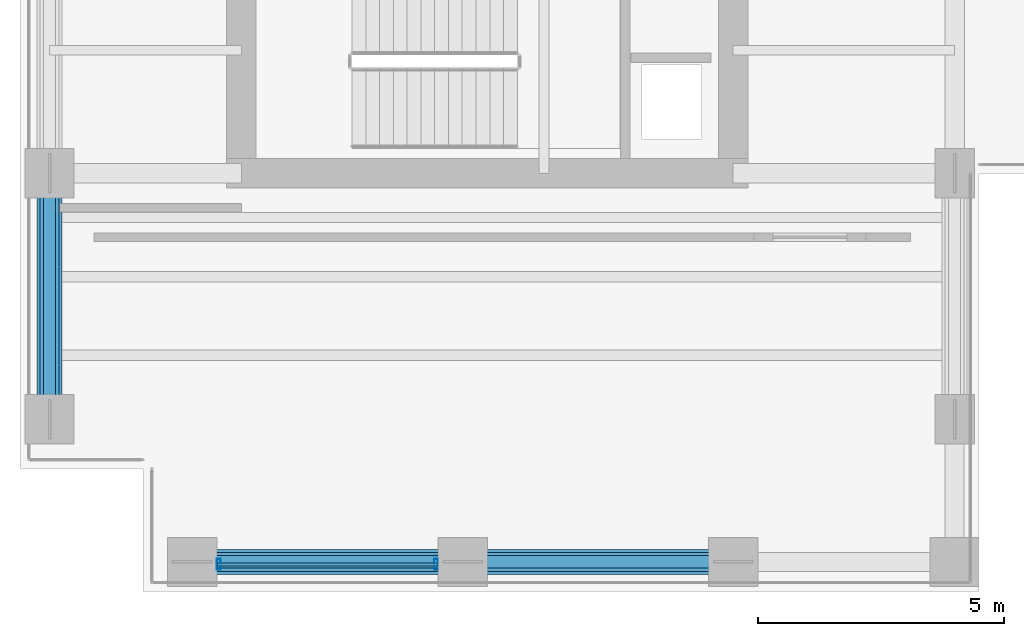
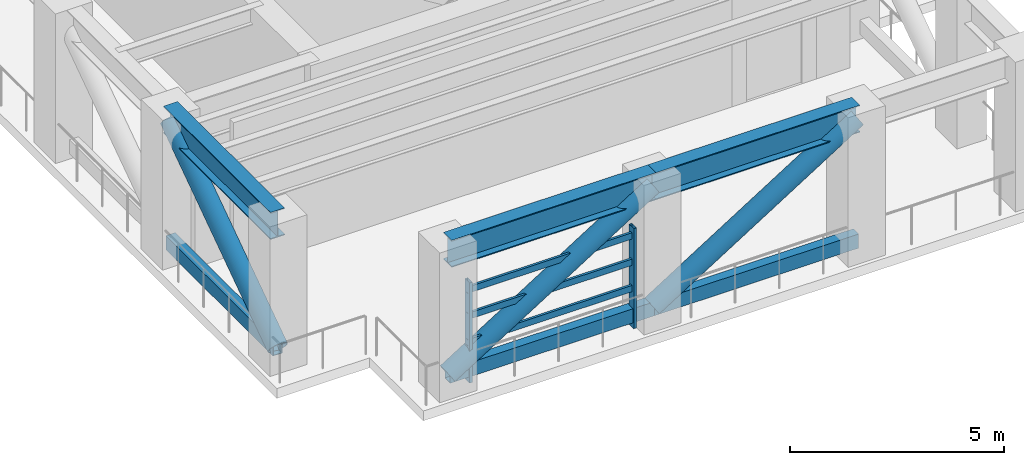
# One storey, part 2 of 14: 11 members, 3 beams, 1 element without a shape of its own.
"""IFC4 building model written with IfcOpenShell, lengths in metres."""

from ifc_helpers import new_model, si_unit, direction, frame, origin, origin_2d, place, context, subcontext, project, spatial, hollow_rectangle, hollow_circle, i_section, extrude, source, transform, mapped, material, layer, layer_set, material_profile, profile_set, type_object, element, aggregate, save


model = new_model("IFC4")

# Units and contexts
model_context = context("Model", 3, precision=1e-05, world=origin(), true_north=direction((0.0, 1.0)))
body_context = subcontext(model_context, "Body", "Model", "MODEL_VIEW")
ifc_project = project(units=[si_unit("LENGTHUNIT", "METRE"), si_unit("AREAUNIT", "SQUARE_METRE"), si_unit("VOLUMEUNIT", "CUBIC_METRE"), si_unit("PLANEANGLEUNIT", "RADIAN"), si_unit("MASSUNIT", "GRAM", prefix="KILO")], contexts=[model_context])

# Site, building, storey
site_placement = place(None, origin())
site = spatial("IfcSite", under=ifc_project, at=site_placement, CompositionType="ELEMENT")
building_placement = place(site_placement, origin())
building = spatial("IfcBuilding", under=site, at=building_placement, Name="Kharzan Plaza Tower", CompositionType="ELEMENT")
storey_placement = place(building_placement, frame((0.0, 0.0, 207.89990234375)))
storey = spatial("IfcBuildingStorey", under=building, at=storey_placement, Name="L56", CompositionType="ELEMENT", Elevation=207.89990234375)

# Members
ifc_material_1 = material(Name="Steel S355", Category="steel")
ifc_material_profile_1 = material_profile(ifc_material_1, hollow_rectangle(XDim=0.25, YDim=0.39990234375, WallThickness=0.01611328125, at=origin_2d()), Name="RHS400x250x16")
ifc_profile_set_1 = profile_set([ifc_material_profile_1], Name="Steel S355")
member_type_1 = type_object("IfcMemberType", Name="MEM-BT-CHORD", PredefinedType="CHORD", material=ifc_profile_set_1)
shared_shape_1 = source(origin(), body_context, "Body", "SweptSolid", [
    extrude(hollow_rectangle(XDim=0.25, YDim=0.39990234375, WallThickness=0.01611328125, at=origin_2d()), origin(), (0.0, 0.0, 1.0), 5.0),
])
member_1_placement = place(storey_placement, frame((0.60009765625, 3.5, 0.35009765625), z_axis=(0.0, 1.0, 0.0), x_axis=(-1.0, 0.0, 0.0)))
element("IfcMember", 1, at=member_1_placement, inside=storey, type_object=member_type_1, Name="L56 Belt Truss Bottom Chord BTW-1", PredefinedType="CHORD", context=body_context, shape_type="MappedRepresentation", body=[
    mapped(shared_shape_1, transform((0.0, 0.0, 0.0), x_axis=(1.0, 0.0, 0.0), y_axis=(0.0, 1.0, 0.0), z_axis=(0.0, 0.0, 1.0))),
])
shared_shape_2 = source(origin(), body_context, "Body", "SweptSolid", [
    extrude(hollow_rectangle(XDim=0.25, YDim=0.39990234375, WallThickness=0.01611328125, at=origin_2d()), origin(), (0.0, 0.0, 1.0), 5.5),
])
for number, where, z_axis, x_axis, name in (
    (2, (3.5, 0.60009765625, 0.35009765625), (1.0, 0.0, 0.0), (0.0, 1.0, 0.0), "L56 Belt Truss Bottom Chord BTS-1"),
    (3, (9.0, 0.60009765625, 0.35009765625), (1.0, 0.0, 0.0), (0.0, 1.0, 0.0), "L56 Belt Truss Bottom Chord BTS-2"),
):
    element("IfcMember", number, at=place(storey_placement, frame(where, z_axis=z_axis, x_axis=x_axis)), inside=storey, type_object=member_type_1, Name=name, PredefinedType="CHORD", context=body_context, shape_type="MappedRepresentation", body=[
        mapped(shared_shape_2, transform((0.0, 0.0, 0.0), x_axis=(1.0, 0.0, 0.0), y_axis=(0.0, 1.0, 0.0), z_axis=(0.0, 0.0, 1.0))),
    ])
ifc_material_profile_2 = material_profile(ifc_material_1, hollow_circle(Radius=0.25390625, WallThickness=0.02001953125, at=origin_2d()), Name="CHS508x20")
ifc_profile_set_2 = profile_set([ifc_material_profile_2], Name="Steel S355")
member_type_2 = type_object("IfcMemberType", Name="MEM-BT-DIAG", PredefinedType="BRACE", material=ifc_profile_set_2)
shared_shape_3 = source(origin(), body_context, "Body", "SweptSolid", [
    extrude(hollow_circle(Radius=0.25390625, WallThickness=0.02001953125, at=origin_2d()), origin(), (0.0, 0.0, 1.0), 6.080322265625),
])
member_2_placement = place(storey_placement, frame((0.60009765625, 3.5, 0.35009765625), z_axis=(0.0, 0.822313592679, 0.569034581809), x_axis=(-1.0, 0.0, 0.0)))
element("IfcMember", 4, at=member_2_placement, inside=storey, type_object=member_type_2, Name="L56 Belt Truss Diagonal BTW-1", PredefinedType="BRACE", context=body_context, shape_type="MappedRepresentation", body=[
    mapped(shared_shape_3, transform((0.0, 0.0, 0.0), x_axis=(1.0, 0.0, 0.0), y_axis=(0.0, 1.0, 0.0), z_axis=(0.0, 0.0, 1.0))),
])
shared_shape_4 = source(origin(), body_context, "Body", "SweptSolid", [
    extrude(hollow_circle(Radius=0.25390625, WallThickness=0.02001953125, at=origin_2d()), origin(), (0.0, 0.0, 1.0), 6.497802734375),
])
for number, where, z_axis, x_axis, name in (
    (5, (3.5, 0.60009765625, 0.35009765625), (0.846441086953, 0.0, 0.532482381228), (0.0, 1.0, 0.0), "L56 Belt Truss Diagonal BTS-1"),
    (6, (9.0, 0.60009765625, 0.35009765625), (0.846441086953, 0.0, 0.532482381228), (0.0, 1.0, 0.0), "L56 Belt Truss Diagonal BTS-2"),
):
    element("IfcMember", number, at=place(storey_placement, frame(where, z_axis=z_axis, x_axis=x_axis)), inside=storey, type_object=member_type_2, Name=name, PredefinedType="BRACE", context=body_context, shape_type="MappedRepresentation", body=[
        mapped(shared_shape_4, transform((0.0, 0.0, 0.0), x_axis=(1.0, 0.0, 0.0), y_axis=(0.0, 1.0, 0.0), z_axis=(0.0, 0.0, 1.0))),
    ])

# Curtain wall, members
ifc_material_2 = material(Name="Unitised Bronze-Anodized Aluminium and Low-E Glass", Category="aluminium")
ifc_layer = layer(ifc_material_2, 0.199951171875)
ifc_layer_set = layer_set([ifc_layer], Name="Unitised Bronze-Anodized Aluminium and Low-E Glass")
curtain_wall_type = type_object("IfcCurtainWallType", Name="CW-SKY-4", PredefinedType="NOTDEFINED", material=ifc_layer_set)
curtain_wall_placement = place(storey_placement, origin())
curtain_wall = element("IfcCurtainWall", 7, at=curtain_wall_placement, inside=storey, type_object=curtain_wall_type, Name="L56 Mechanical Intake Louvre Curtain-Wall Assembly", PredefinedType="NOTDEFINED")
ifc_material_3 = material(Name="Anodized Bronze Aluminium", Category="aluminium")
ifc_material_profile_3 = material_profile(ifc_material_3, hollow_rectangle(XDim=0.074951171875, YDim=0.219970703125, WallThickness=0.00390625, at=origin_2d()), Name="ALU-M220x75x4")
ifc_profile_set_3 = profile_set([ifc_material_profile_3], Name="Anodized Bronze Aluminium")
member_type_3 = type_object("IfcMemberType", Name="MEM-CW-MUL200", PredefinedType="MULLION", material=ifc_profile_set_3)
shared_shape_5 = source(origin(), body_context, "Body", "SweptSolid", [
    extrude(hollow_rectangle(XDim=0.074951171875, YDim=0.219970703125, WallThickness=0.00390625, at=origin_2d()), origin(), (0.0, 0.0, 1.0), 2.85009765625),
])
member_3_placement = place(storey_placement, frame((4.0400390625, 0.550048828125, 0.0), z_axis=(0.0, 0.0, 1.0), x_axis=(1.0, 0.0, 0.0)))
member_3 = element("IfcMember", 8, at=member_3_placement, type_object=member_type_3, Name="L56 Louvre Frame Vertical Mullion 01", PredefinedType="MULLION", context=body_context, shape_type="MappedRepresentation", body=[
    mapped(shared_shape_5, transform((0.0, 0.0, 0.0), x_axis=(1.0, 0.0, 0.0), y_axis=(0.0, 1.0, 0.0), z_axis=(0.0, 0.0, 1.0))),
])
member_4_placement = place(storey_placement, frame((8.4599609375, 0.550048828125, 0.0), z_axis=(0.0, 0.0, 1.0), x_axis=(1.0, 0.0, 0.0)))
member_4 = element("IfcMember", 9, at=member_4_placement, type_object=member_type_3, Name="L56 Louvre Frame Vertical Mullion 02", PredefinedType="MULLION", context=body_context, shape_type="MappedRepresentation", body=[
    mapped(shared_shape_5, transform((0.0, 0.0, 0.0), x_axis=(1.0, 0.0, 0.0), y_axis=(0.0, 1.0, 0.0), z_axis=(0.0, 0.0, 1.0))),
])

# Beams
ifc_material_profile_4 = material_profile(ifc_material_1, i_section(OverallWidth=0.381103515625, OverallDepth=0.77294921875, WebThickness=0.0166015625, FlangeThickness=0.027587890625, at=origin_2d()), Name="W760x257")
ifc_profile_set_4 = profile_set([ifc_material_profile_4], Name="Steel S355")
beam_type = type_object("IfcBeamType", Name="BM-SP760A", PredefinedType="SPANDREL", material=ifc_profile_set_4)
shared_shape_6 = source(origin(), body_context, "Body", "SweptSolid", [
    extrude(i_section(OverallWidth=0.381103515625, OverallDepth=0.77294921875, WebThickness=0.0166015625, FlangeThickness=0.027587890625, at=origin_2d()), origin(), (0.0, 0.0, 1.0), 5.0),
])
beam_placement = place(storey_placement, frame((0.60009765625, 3.5, 3.87353515625), z_axis=(0.0, 1.0, 0.0), x_axis=(-1.0, 0.0, 0.0)))
element("IfcBeam", 10, at=beam_placement, inside=storey, type_object=beam_type, Name="L56 Perimeter Tube Spandrel", PredefinedType="SPANDREL", context=body_context, shape_type="MappedRepresentation", body=[
    mapped(shared_shape_6, transform((0.0, 0.0, 0.0), x_axis=(1.0, 0.0, 0.0), y_axis=(0.0, 1.0, 0.0), z_axis=(0.0, 0.0, 1.0))),
])
shared_shape_7 = source(origin(), body_context, "Body", "SweptSolid", [
    extrude(i_section(OverallWidth=0.381103515625, OverallDepth=0.77294921875, WebThickness=0.0166015625, FlangeThickness=0.027587890625, at=origin_2d()), origin(), (0.0, 0.0, 1.0), 5.5),
])
for number, where, z_axis, x_axis, name in (
    (11, (3.5, 0.60009765625, 3.87353515625), (1.0, 0.0, 0.0), (0.0, 1.0, 0.0), "L56 Perimeter Tube Spandrel"),
    (12, (9.0, 0.60009765625, 3.87353515625), (1.0, 0.0, 0.0), (0.0, 1.0, 0.0), "L56 Perimeter Tube Spandrel"),
):
    element("IfcBeam", number, at=place(storey_placement, frame(where, z_axis=z_axis, x_axis=x_axis)), inside=storey, type_object=beam_type, Name=name, PredefinedType="SPANDREL", context=body_context, shape_type="MappedRepresentation", body=[
        mapped(shared_shape_7, transform((0.0, 0.0, 0.0), x_axis=(1.0, 0.0, 0.0), y_axis=(0.0, 1.0, 0.0), z_axis=(0.0, 0.0, 1.0))),
    ])

# Member
ifc_material_profile_5 = material_profile(ifc_material_3, hollow_rectangle(XDim=0.06494140625, YDim=0.179931640625, WallThickness=0.00390625, at=origin_2d()), Name="ALU-M180x65x4")
ifc_profile_set_5 = profile_set([ifc_material_profile_5], Name="Anodized Bronze Aluminium")
member_type_4 = type_object("IfcMemberType", Name="MEM-LOUVRE-250", PredefinedType="USERDEFINED", material=ifc_profile_set_5)
shared_shape_8 = source(origin(), body_context, "Body", "SweptSolid", [
    extrude(hollow_rectangle(XDim=0.06494140625, YDim=0.179931640625, WallThickness=0.00390625, at=origin_2d()), origin(), (0.0, 0.0, 1.0), 4.5),
])
member_5_placement = place(storey_placement, frame((4.0, 0.550048828125, 1.10009765625), z_axis=(1.0, 0.0, 0.0), x_axis=(0.0, 1.0, 0.0)))
member_5 = element("IfcMember", 13, at=member_5_placement, type_object=member_type_4, Name="L56 Acoustic Intake Louvre Blade 1", ObjectType="TRANSOM", PredefinedType="USERDEFINED", context=body_context, shape_type="MappedRepresentation", body=[
    mapped(shared_shape_8, transform((0.0, 0.0, 0.0), x_axis=(1.0, 0.0, 0.0), y_axis=(0.0, 1.0, 0.0), z_axis=(0.0, 0.0, 1.0))),
])

member_6_placement = place(storey_placement, frame((4.0, 0.550048828125, 1.85009765625), z_axis=(1.0, 0.0, 0.0), x_axis=(0.0, 1.0, 0.0)))
member_6 = element("IfcMember", 14, at=member_6_placement, type_object=member_type_4, Name="L56 Acoustic Intake Louvre Blade 2", ObjectType="TRANSOM", PredefinedType="USERDEFINED", context=body_context, shape_type="MappedRepresentation", body=[
    mapped(shared_shape_8, transform((0.0, 0.0, 0.0), x_axis=(1.0, 0.0, 0.0), y_axis=(0.0, 1.0, 0.0), z_axis=(0.0, 0.0, 1.0))),
])

member_7_placement = place(storey_placement, frame((4.0, 0.550048828125, 2.60009765625), z_axis=(1.0, 0.0, 0.0), x_axis=(0.0, 1.0, 0.0)))
member_7 = element("IfcMember", 15, at=member_7_placement, type_object=member_type_4, Name="L56 Acoustic Intake Louvre Blade 3", ObjectType="TRANSOM", PredefinedType="USERDEFINED", context=body_context, shape_type="MappedRepresentation", body=[
    mapped(shared_shape_8, transform((0.0, 0.0, 0.0), x_axis=(1.0, 0.0, 0.0), y_axis=(0.0, 1.0, 0.0), z_axis=(0.0, 0.0, 1.0))),
])

aggregate(curtain_wall, [member_3, member_4, member_5, member_6, member_7])

save(model, "model.ifc")
